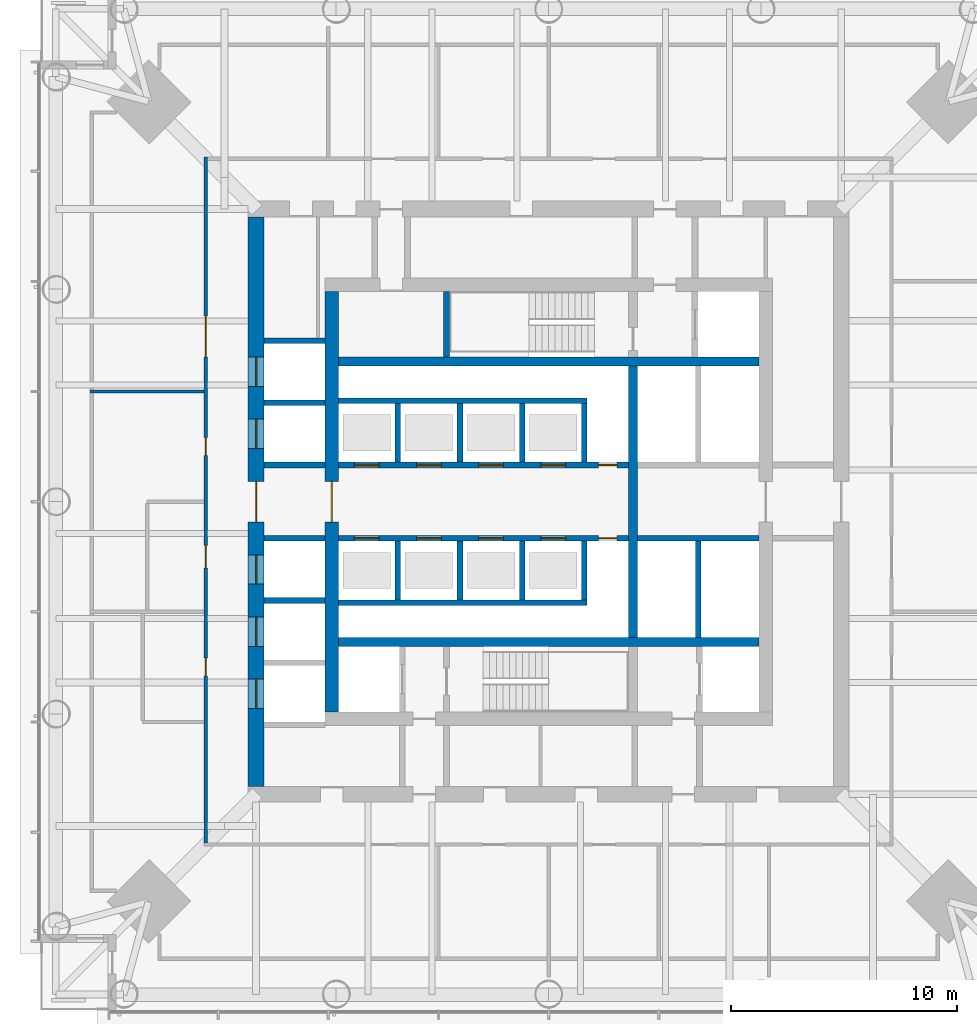
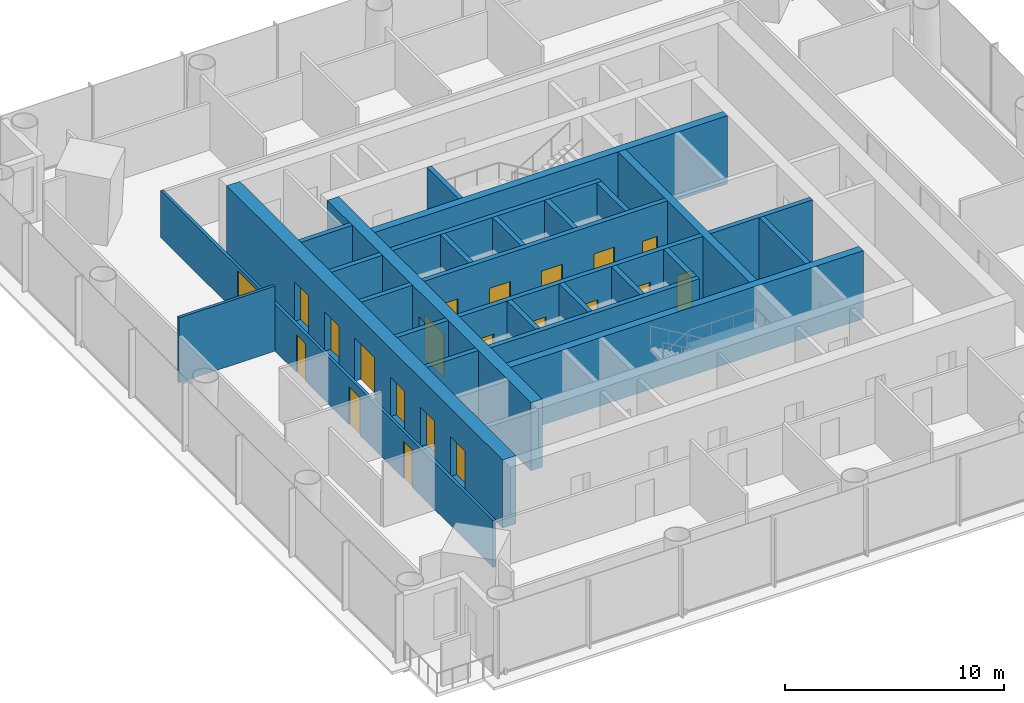
# One storey, part 10 of 27: 27 walls, 21 doors, 21 openings.
"""IFC4 building model written with IfcOpenShell, lengths in metres."""

import ifcopenshell
import ifcopenshell.guid

model = None  # the IFC model being written
_history = None  # IfcOwnerHistory: only IFC2X3 demands one
_inside = {}  # id of a spatial element -> (the spatial element, [elements in it])
_under = {}  # id of a project, library or spatial element -> (it, [spatial elements below it])
_declared = {}  # id of a project -> (the project, [libraries it declares])
_typed = {}  # id of a type object -> (the type object, [elements of that type])
_made_of = {}  # id of a material, layer set ... -> (it, [elements and type objects made of it])


def new_model(schema):
    """Start an empty IFC model of exactly this schema.

    Asked for "IFC4X3", IfcOpenShell would pick the latest addendum, in which some entities
    have other attributes; the version numbers below select the first issue.
    IFC2X3 requires an IfcOwnerHistory on every rooted entity: one is made here for all.
    """
    global model, _history
    if schema == "IFC4X3":
        model = ifcopenshell.file(schema_version=(4, 3, 0, 0))
    else:
        model = ifcopenshell.file(schema=schema)
    _inside.clear()
    _under.clear()
    _declared.clear()
    _typed.clear()
    _made_of.clear()
    _history = None
    if model.schema == "IFC2X3":
        org = make("IfcOrganization", Name="unknown")
        user = make(
            "IfcPersonAndOrganization",
            ThePerson=make("IfcPerson", FamilyName="unknown"),
            TheOrganization=org,
        )
        app = make(
            "IfcApplication",
            ApplicationDeveloper=org,
            Version="unknown",
            ApplicationFullName="unknown",
            ApplicationIdentifier="unknown",
        )
        _history = make(
            "IfcOwnerHistory",
            OwningUser=user,
            OwningApplication=app,
            ChangeAction="ADDED",
            CreationDate=0,
        )
    return model


def make(cls, **values):
    """One entity of the class cls with the attributes given. An attribute that is None is left unset."""
    return model.create_entity(
        cls, **{name: value for name, value in values.items() if value is not None}
    )


def rooted(cls, **values):
    """An entity with a GlobalId (a new one), such as an element, a storey or a relation."""
    return make(cls, GlobalId=ifcopenshell.guid.new(), OwnerHistory=_history, **values)


def si_unit(unit_type, name, prefix=None):
    """IfcSIUnit, for example si_unit("LENGTHUNIT", "METRE", prefix="MILLI")."""
    return make("IfcSIUnit", UnitType=unit_type, Prefix=prefix, Name=name)


def assignment(units):
    """IfcUnitAssignment: the units of a project."""
    return None if units is None else make("IfcUnitAssignment", Units=units)


def point(xyz):
    """IfcCartesianPoint."""
    return None if xyz is None else make("IfcCartesianPoint", Coordinates=xyz)


def direction(xyz):
    """IfcDirection."""
    return None if xyz is None else make("IfcDirection", DirectionRatios=xyz)


def frame(location, z_axis=None, x_axis=None):
    """IfcAxis2Placement3D, a coordinate frame: its origin and axes. An axis left out is left unset."""
    return make(
        "IfcAxis2Placement3D",
        Location=point(location),
        Axis=direction(z_axis),
        RefDirection=direction(x_axis),
    )


def frame_2d(location, x_axis=None):
    """IfcAxis2Placement2D, a coordinate frame in the plane: its origin and x axis."""
    return make(
        "IfcAxis2Placement2D", Location=point(location), RefDirection=direction(x_axis)
    )


def origin():
    """The frame at (0, 0, 0) with its axes left unset."""
    return frame((0.0, 0.0, 0.0))


def place(relative_to, where):
    """IfcLocalPlacement: puts the frame where relative to a parent placement (None: the world)."""
    return make(
        "IfcLocalPlacement", PlacementRelTo=relative_to, RelativePlacement=where
    )


def context(
    kind, dimensions, precision=None, world=None, true_north=None, identifier=None
):
    """IfcGeometricRepresentationContext, for example the 3D "Model" context."""
    return make(
        "IfcGeometricRepresentationContext",
        ContextIdentifier=identifier,
        ContextType=kind,
        CoordinateSpaceDimension=dimensions,
        Precision=precision,
        WorldCoordinateSystem=world,
        TrueNorth=true_north,
    )


def subcontext(parent, identifier, kind, view, scale=None):
    """IfcGeometricRepresentationSubContext, for example "Body" below "Model"."""
    return make(
        "IfcGeometricRepresentationSubContext",
        ContextIdentifier=identifier,
        ContextType=kind,
        ParentContext=parent,
        TargetScale=scale,
        TargetView=view,
    )


def project(units=None, contexts=None):
    """IfcProject with its units and contexts."""
    return rooted(
        "IfcProject",
        Name="project",
        RepresentationContexts=contexts,
        UnitsInContext=assignment(units),
    )


def spatial(cls, under=None, at=None, **own):
    """A site, building, storey or space (cls), placed at a placement, below another one or the project."""
    s = rooted(cls, ObjectPlacement=at, **own)
    if under is not None:
        _under.setdefault(under.id(), (under, []))[1].append(s)
    return s


def profile(cls, at=None, kind="AREA", **sizes):
    """A parametric profile (cls). Its sizes go by their IFC names, for example OverallWidth=200.0."""
    return make(cls, ProfileType=kind, Position=at, **sizes)


def rectangle(**sizes):
    """IfcRectangleProfileDef."""
    return profile("IfcRectangleProfileDef", **sizes)


def extrude(swept, where, along, depth):
    """IfcExtrudedAreaSolid: the profile swept, set in the frame where, extruded along a direction by depth."""
    return make(
        "IfcExtrudedAreaSolid",
        SweptArea=swept,
        Position=where,
        ExtrudedDirection=direction(along),
        Depth=depth,
    )


def shape(context_of_items, identifier, shape_type, items):
    """IfcShapeRepresentation: the items that make up one representation, for example the "Body"."""
    return make(
        "IfcShapeRepresentation",
        ContextOfItems=context_of_items,
        RepresentationIdentifier=identifier,
        RepresentationType=shape_type,
        Items=items,
    )


def material(Name=None, Category=None):
    """IfcMaterial."""
    return make("IfcMaterial", Name=Name, Category=Category)


def layer(
    of_material, thickness, ventilated=None, Name=None, Category=None, Priority=None
):
    """IfcMaterialLayer: one layer of a wall or slab, of a material (None: an air gap)."""
    return make(
        "IfcMaterialLayer",
        Material=of_material,
        LayerThickness=thickness,
        IsVentilated=ventilated,
        Name=Name,
        Category=Category,
        Priority=Priority,
    )


def layer_set(layers, Name=None):
    """IfcMaterialLayerSet."""
    return make("IfcMaterialLayerSet", MaterialLayers=layers, LayerSetName=Name)


def made_of(thing, what):
    """Note that an element or type object is made of a material, layer set ...; save() writes the relation."""
    if what is not None:
        _made_of.setdefault(what.id(), (what, []))[1].append(thing)
    return thing


def type_object(cls, material=None, **own):
    """A type object (cls), such as IfcWallType, which elements share."""
    return made_of(rooted(cls, **own), material)


def element(
    cls,
    number,
    at=None,
    inside=None,
    cuts=None,
    type_object=None,
    material=None,
    context=None,
    identifier="Body",
    shape_type=None,
    held_by="IfcProductDefinitionShape",
    body=None,
    shapes=None,
    **own,
):
    """One element of the class cls, such as IfcWall. Its Tag is "e" and its number.

    at: its placement. inside: the storey or other place that contains it. cuts: it is an
    opening in that element (IfcRelVoidsElement). A single representation is given by context,
    identifier, shape_type and body (its items); several are given by shapes. held_by: the class
    of the entity that holds the representations. save() writes the other relations.
    """
    e = rooted(cls, Tag="e%d" % number, ObjectPlacement=at, **own)
    if body is not None:
        shapes = [shape(context, identifier, shape_type, body)]
    if shapes is not None:
        e.Representation = make(held_by, Representations=shapes)
    if inside is not None:
        _inside.setdefault(inside.id(), (inside, []))[1].append(e)
    if cuts is not None:
        rooted(
            "IfcRelVoidsElement", RelatingBuildingElement=cuts, RelatedOpeningElement=e
        )
    if type_object is not None:
        _typed.setdefault(type_object.id(), (type_object, []))[1].append(e)
    return made_of(e, material)


def fill(opening, filler):
    """IfcRelFillsElement: the door or window that sits in an opening."""
    return rooted(
        "IfcRelFillsElement",
        RelatingOpeningElement=opening,
        RelatedBuildingElement=filler,
    )


def aggregate(whole, parts):
    """IfcRelAggregates: a whole, such as a stair, and the parts it consists of."""
    return rooted("IfcRelAggregates", RelatingObject=whole, RelatedObjects=parts)


def save(model, path):
    """Write the relations noted so far, then the file.

    IfcRelAggregates (storeys below a building ...), IfcRelContainedInSpatialStructure (elements
    in a storey), IfcRelDefinesByType, IfcRelAssociatesMaterial and IfcRelDeclares: one each for
    every whole, place, type object, material and project.
    """
    for whole, parts in _under.values():
        aggregate(whole, parts)
    for where, things in _inside.values():
        rooted(
            "IfcRelContainedInSpatialStructure",
            RelatedElements=things,
            RelatingStructure=where,
        )
    for kind, things in _typed.values():
        rooted("IfcRelDefinesByType", RelatedObjects=things, RelatingType=kind)
    for what, things in _made_of.values():
        rooted("IfcRelAssociatesMaterial", RelatedObjects=things, RelatingMaterial=what)
    for by, libraries in _declared.values():
        rooted("IfcRelDeclares", RelatingContext=by, RelatedDefinitions=libraries)
    model.write(path)


model = new_model("IFC4")

# Units and contexts
model_context = context("Model", 3, precision=1e-05, world=origin(), true_north=direction((0.0, 1.0)))
body_context = subcontext(model_context, "Body", "Model", "MODEL_VIEW")
ifc_project = project(units=[si_unit("LENGTHUNIT", "METRE"), si_unit("AREAUNIT", "SQUARE_METRE"), si_unit("VOLUMEUNIT", "CUBIC_METRE"), si_unit("PLANEANGLEUNIT", "RADIAN"), si_unit("MASSUNIT", "GRAM", prefix="KILO")], contexts=[model_context])

# Site, building, storey
site_placement = place(None, origin())
site = spatial("IfcSite", under=ifc_project, at=site_placement, CompositionType="ELEMENT")
building_placement = place(site_placement, origin())
building = spatial("IfcBuilding", under=site, at=building_placement, Name="Ostroluk Exchange", CompositionType="ELEMENT")
storey_placement = place(building_placement, frame((0.0, 0.0, 89.39990234375)))
storey = spatial("IfcBuildingStorey", under=building, at=storey_placement, Name="L22", CompositionType="ELEMENT", Elevation=89.39990234375)

# Walls
ifc_material_1 = material(Name="Concrete C50/60", Category="concrete")
ifc_layer_1 = layer(ifc_material_1, 0.39990234375)
ifc_layer_set_1 = layer_set([ifc_layer_1], Name="Core cross wall 400 C50/60")
wall_type_1 = type_object("IfcWallType", Name="Core cross wall 400 C50/60", PredefinedType="SHEAR", material=ifc_layer_set_1)
for number, where, z_axis, x_axis, name in (
    (1, (35.699951171875, 39.800048828125, 0.0), (0.0, 0.0, 1.0), (1.0, 0.0, 0.0), "T1 core wall XS"),
    (2, (35.699951171875, 52.199951171875, 0.0), (0.0, 0.0, 1.0), (1.0, 0.0, 0.0), "T1 core wall XN"),
):
    element("IfcWall", number, at=place(storey_placement, frame(where, z_axis=z_axis, x_axis=x_axis)), inside=storey, type_object=wall_type_1, Name=name, PredefinedType="SHEAR", context=body_context, shape_type="SweptSolid", body=[
        extrude(rectangle(XDim=18.60009765625, YDim=0.39990234375, at=frame_2d((9.300048828125, 0.0))), origin(), (0.0, 0.0, 1.0), 3.800048828125),
    ])
wall_1_placement = place(storey_placement, frame((48.72998046875, 40.0, 0.0), z_axis=(0.0, 0.0, 1.0), x_axis=(0.0, 1.0, 0.0)))
element("IfcWall", 3, at=wall_1_placement, inside=storey, type_object=wall_type_1, Name="T1 core wall YE2", PredefinedType="SHEAR", context=body_context, shape_type="SweptSolid", body=[
    extrude(rectangle(XDim=12.0, YDim=0.39990234375, at=frame_2d((6.0, 0.0))), origin(), (0.0, 0.0, 1.0), 3.800048828125),
])
ifc_material_2 = material(Name="Concrete C40/50", Category="concrete")
ifc_layer_2 = layer(ifc_material_2, 0.25)
ifc_layer_set_2 = layer_set([ifc_layer_2], Name="Core shaft wall 250")
wall_type_2 = type_object("IfcWallType", Name="Core shaft wall 250", PredefinedType="SHEAR", material=ifc_layer_set_2)
wall_2_placement = place(storey_placement, frame((40.47509765625, 52.39990234375, 0.0), z_axis=(0.0, 0.0, 1.0), x_axis=(0.0, 1.0, 0.0)))
element("IfcWall", 4, at=wall_2_placement, inside=storey, type_object=wall_type_2, Name="Stair shaft wall", PredefinedType="SHEAR", context=body_context, shape_type="SweptSolid", body=[
    extrude(rectangle(XDim=2.900146484375, YDim=0.25, at=frame_2d((1.4501953125, 0.0))), origin(), (0.0, 0.0, 1.0), 3.800048828125),
])
for number, where, z_axis, x_axis, name in (
    (5, (38.324951171875, 47.75, 0.0), (0.0, 0.0, 1.0), (0.0, 1.0, 0.0), "Lift shaft wall"),
    (6, (41.074951171875, 47.75, 0.0), (0.0, 0.0, 1.0), (0.0, 1.0, 0.0), "Lift shaft wall"),
    (7, (43.824951171875, 47.75, 0.0), (0.0, 0.0, 1.0), (0.0, 1.0, 0.0), "Lift shaft wall"),
    (8, (46.574951171875, 47.75, 0.0), (0.0, 0.0, 1.0), (0.0, 1.0, 0.0), "Lift shaft wall"),
):
    element("IfcWall", number, at=place(storey_placement, frame(where, z_axis=z_axis, x_axis=x_axis)), inside=storey, type_object=wall_type_2, Name=name, PredefinedType="SHEAR", context=body_context, shape_type="SweptSolid", body=[
        extrude(rectangle(XDim=2.60009765625, YDim=0.25, at=frame_2d((1.300048828125, 0.0))), origin(), (0.0, 0.0, 1.0), 3.800048828125),
    ])
wall_3_placement = place(storey_placement, frame((35.699951171875, 50.47509765625, 0.0), z_axis=(0.0, 0.0, 1.0), x_axis=(1.0, 0.0, 0.0)))
element("IfcWall", 9, at=wall_3_placement, inside=storey, type_object=wall_type_2, Name="Lift shaft wall", PredefinedType="SHEAR", context=body_context, shape_type="SweptSolid", body=[
    extrude(rectangle(XDim=11.0, YDim=0.25, at=frame_2d((5.5, 0.0))), origin(), (0.0, 0.0, 1.0), 3.800048828125),
])

# Wall, openings, doors
wall_4_placement = place(storey_placement, frame((35.699951171875, 47.625, 0.0), z_axis=(0.0, 0.0, 1.0), x_axis=(1.0, 0.0, 0.0)))
wall_4 = element("IfcWall", 10, at=wall_4_placement, inside=storey, type_object=wall_type_2, Name="Lift shaft front wall", PredefinedType="SHEAR", context=body_context, shape_type="SweptSolid", body=[
    extrude(rectangle(XDim=12.830078125, YDim=0.25, at=frame_2d((6.4150390625, 0.0))), origin(), (0.0, 0.0, 1.0), 3.800048828125),
])
opening_1_placement = place(wall_4_placement, frame((0.699951171875, 0.0, 0.0)))
opening_1 = element("IfcOpeningElement", 11, at=opening_1_placement, cuts=wall_4, Name="Opening LD", PredefinedType="OPENING", context=body_context, shape_type="SweptSolid", body=[
    extrude(rectangle(XDim=1.10009765625, YDim=2.199951171875, at=frame_2d((0.550048828125, 1.10009765625))), frame((0.0, 0.135009765625, 0.0), z_axis=(0.0, -1.0, 0.0), x_axis=(1.0, 0.0, 0.0)), (0.0, 0.0, 1.0), 0.27001953125),
])
opening_2_placement = place(wall_4_placement, frame((3.449951171875, 0.0, 0.0)))
opening_2 = element("IfcOpeningElement", 12, at=opening_2_placement, cuts=wall_4, Name="Opening LD", PredefinedType="OPENING", context=body_context, shape_type="SweptSolid", body=[
    extrude(rectangle(XDim=1.10009765625, YDim=2.199951171875, at=frame_2d((0.550048828125, 1.10009765625))), frame((0.0, 0.135009765625, 0.0), z_axis=(0.0, -1.0, 0.0), x_axis=(1.0, 0.0, 0.0)), (0.0, 0.0, 1.0), 0.27001953125),
])
opening_3_placement = place(wall_4_placement, frame((6.199951171875, 0.0, 0.0)))
opening_3 = element("IfcOpeningElement", 13, at=opening_3_placement, cuts=wall_4, Name="Opening LD", PredefinedType="OPENING", context=body_context, shape_type="SweptSolid", body=[
    extrude(rectangle(XDim=1.10009765625, YDim=2.199951171875, at=frame_2d((0.550048828125, 1.10009765625))), frame((0.0, 0.135009765625, 0.0), z_axis=(0.0, -1.0, 0.0), x_axis=(1.0, 0.0, 0.0)), (0.0, 0.0, 1.0), 0.27001953125),
])
opening_4_placement = place(wall_4_placement, frame((8.949951171875, 0.0, 0.0)))
opening_4 = element("IfcOpeningElement", 14, at=opening_4_placement, cuts=wall_4, Name="Opening LD", PredefinedType="OPENING", context=body_context, shape_type="SweptSolid", body=[
    extrude(rectangle(XDim=1.10009765625, YDim=2.199951171875, at=frame_2d((0.550048828125, 1.10009765625))), frame((0.0, 0.135009765625, 0.0), z_axis=(0.0, -1.0, 0.0), x_axis=(1.0, 0.0, 0.0)), (0.0, 0.0, 1.0), 0.27001953125),
])
opening_5_placement = place(wall_4_placement, frame((11.514892578125, 0.0, 0.0)))
opening_5 = element("IfcOpeningElement", 15, at=opening_5_placement, cuts=wall_4, Name="Opening RD60", PredefinedType="OPENING", context=body_context, shape_type="SweptSolid", body=[
    extrude(rectangle(XDim=0.800048828125, YDim=2.0, at=frame_2d((0.39990234375, 1.0))), frame((0.0, 0.135009765625, 0.0), z_axis=(0.0, -1.0, 0.0), x_axis=(1.0, 0.0, 0.0)), (0.0, 0.0, 1.0), 0.27001953125),
])
ifc_material_3 = material(Name="Stainless steel", Category="steel")
door_type_1 = type_object("IfcDoorType", Name="Lift landing door E 60 1100 x 2200", OperationType="DOUBLE_DOOR_SLIDING", PredefinedType="DOOR", material=ifc_material_3)
door_1_placement = place(opening_1_placement, origin())
door_1 = element("IfcDoor", 16, at=door_1_placement, inside=storey, type_object=door_type_1, Name="Lift PL-M1 landing door", OperationType="DOUBLE_DOOR_SLIDING", OverallHeight=2.199951171875, OverallWidth=1.10009765625, PredefinedType="DOOR", context=body_context, shape_type="SweptSolid", body=[
    extrude(rectangle(XDim=1.10009765625, YDim=2.199951171875, at=frame_2d((0.550048828125, 1.10009765625))), frame((0.0, 0.02490234375, 0.0), z_axis=(0.0, -1.0, 0.0), x_axis=(1.0, 0.0, 0.0)), (0.0, 0.0, 1.0), 0.050048828125),
])
fill(opening_1, door_1)
door_2_placement = place(opening_2_placement, origin())
door_2 = element("IfcDoor", 17, at=door_2_placement, inside=storey, type_object=door_type_1, Name="Lift PL-M2 landing door", OperationType="DOUBLE_DOOR_SLIDING", OverallHeight=2.199951171875, OverallWidth=1.10009765625, PredefinedType="DOOR", context=body_context, shape_type="SweptSolid", body=[
    extrude(rectangle(XDim=1.10009765625, YDim=2.199951171875, at=frame_2d((0.550048828125, 1.10009765625))), frame((0.0, 0.02490234375, 0.0), z_axis=(0.0, -1.0, 0.0), x_axis=(1.0, 0.0, 0.0)), (0.0, 0.0, 1.0), 0.050048828125),
])
fill(opening_2, door_2)
door_3_placement = place(opening_3_placement, origin())
door_3 = element("IfcDoor", 18, at=door_3_placement, inside=storey, type_object=door_type_1, Name="Lift PL-M3 landing door", OperationType="DOUBLE_DOOR_SLIDING", OverallHeight=2.199951171875, OverallWidth=1.10009765625, PredefinedType="DOOR", context=body_context, shape_type="SweptSolid", body=[
    extrude(rectangle(XDim=1.10009765625, YDim=2.199951171875, at=frame_2d((0.550048828125, 1.10009765625))), frame((0.0, 0.02490234375, 0.0), z_axis=(0.0, -1.0, 0.0), x_axis=(1.0, 0.0, 0.0)), (0.0, 0.0, 1.0), 0.050048828125),
])
fill(opening_3, door_3)
door_4_placement = place(opening_4_placement, origin())
door_4 = element("IfcDoor", 19, at=door_4_placement, inside=storey, type_object=door_type_1, Name="Lift PL-M4 landing door", OperationType="DOUBLE_DOOR_SLIDING", OverallHeight=2.199951171875, OverallWidth=1.10009765625, PredefinedType="DOOR", context=body_context, shape_type="SweptSolid", body=[
    extrude(rectangle(XDim=1.10009765625, YDim=2.199951171875, at=frame_2d((0.550048828125, 1.10009765625))), frame((0.0, 0.02490234375, 0.0), z_axis=(0.0, -1.0, 0.0), x_axis=(1.0, 0.0, 0.0)), (0.0, 0.0, 1.0), 0.050048828125),
])
fill(opening_4, door_4)
ifc_material_4 = material(Name="Steel", Category="steel")
door_type_2 = type_object("IfcDoorType", Name="Riser access door EI 60 800 x 2000", OperationType="SINGLE_SWING_LEFT", PredefinedType="DOOR", material=ifc_material_4)
door_5_placement = place(opening_5_placement, origin())
door_5 = element("IfcDoor", 20, at=door_5_placement, inside=storey, type_object=door_type_2, Name="Riser access door", OperationType="SINGLE_SWING_RIGHT", OverallHeight=2.0, OverallWidth=0.800048828125, PredefinedType="DOOR", context=body_context, shape_type="SweptSolid", body=[
    extrude(rectangle(XDim=0.800048828125, YDim=2.0, at=frame_2d((0.39990234375, 1.0))), frame((0.0, 0.02490234375, 0.0), z_axis=(0.0, -1.0, 0.0), x_axis=(1.0, 0.0, 0.0)), (0.0, 0.0, 1.0), 0.050048828125),
])
fill(opening_5, door_5)

# Walls
for number, where, z_axis, x_axis, name in (
    (21, (38.324951171875, 44.25, 0.0), (0.0, 0.0, 1.0), (0.0, -1.0, 0.0), "Lift shaft wall"),
    (22, (41.074951171875, 44.25, 0.0), (0.0, 0.0, 1.0), (0.0, -1.0, 0.0), "Lift shaft wall"),
    (23, (43.824951171875, 44.25, 0.0), (0.0, 0.0, 1.0), (0.0, -1.0, 0.0), "Lift shaft wall"),
    (24, (46.574951171875, 44.25, 0.0), (0.0, 0.0, 1.0), (0.0, -1.0, 0.0), "Lift shaft wall"),
):
    element("IfcWall", number, at=place(storey_placement, frame(where, z_axis=z_axis, x_axis=x_axis)), inside=storey, type_object=wall_type_2, Name=name, PredefinedType="SHEAR", context=body_context, shape_type="SweptSolid", body=[
        extrude(rectangle(XDim=2.60009765625, YDim=0.25, at=frame_2d((1.300048828125, 0.0))), origin(), (0.0, 0.0, 1.0), 3.800048828125),
    ])
wall_5_placement = place(storey_placement, frame((35.699951171875, 41.52490234375, 0.0), z_axis=(0.0, 0.0, 1.0), x_axis=(1.0, 0.0, 0.0)))
element("IfcWall", 25, at=wall_5_placement, inside=storey, type_object=wall_type_2, Name="Lift shaft wall", PredefinedType="SHEAR", context=body_context, shape_type="SweptSolid", body=[
    extrude(rectangle(XDim=11.0, YDim=0.25, at=frame_2d((5.5, 0.0))), origin(), (0.0, 0.0, 1.0), 3.800048828125),
])

# Wall, openings, doors
wall_6_placement = place(storey_placement, frame((35.699951171875, 44.375, 0.0), z_axis=(0.0, 0.0, 1.0), x_axis=(1.0, 0.0, 0.0)))
wall_6 = element("IfcWall", 26, at=wall_6_placement, inside=storey, type_object=wall_type_2, Name="Lift shaft front wall", PredefinedType="SHEAR", context=body_context, shape_type="SweptSolid", body=[
    extrude(rectangle(XDim=12.830078125, YDim=0.25, at=frame_2d((6.4150390625, 0.0))), origin(), (0.0, 0.0, 1.0), 3.800048828125),
])
opening_6_placement = place(wall_6_placement, frame((0.699951171875, 0.0, 0.0)))
opening_6 = element("IfcOpeningElement", 27, at=opening_6_placement, cuts=wall_6, Name="Opening LD", PredefinedType="OPENING", context=body_context, shape_type="SweptSolid", body=[
    extrude(rectangle(XDim=1.10009765625, YDim=2.199951171875, at=frame_2d((0.550048828125, 1.10009765625))), frame((0.0, 0.135009765625, 0.0), z_axis=(0.0, -1.0, 0.0), x_axis=(1.0, 0.0, 0.0)), (0.0, 0.0, 1.0), 0.27001953125),
])
opening_7_placement = place(wall_6_placement, frame((3.449951171875, 0.0, 0.0)))
opening_7 = element("IfcOpeningElement", 28, at=opening_7_placement, cuts=wall_6, Name="Opening LD", PredefinedType="OPENING", context=body_context, shape_type="SweptSolid", body=[
    extrude(rectangle(XDim=1.10009765625, YDim=2.199951171875, at=frame_2d((0.550048828125, 1.10009765625))), frame((0.0, 0.135009765625, 0.0), z_axis=(0.0, -1.0, 0.0), x_axis=(1.0, 0.0, 0.0)), (0.0, 0.0, 1.0), 0.27001953125),
])
opening_8_placement = place(wall_6_placement, frame((6.199951171875, 0.0, 0.0)))
opening_8 = element("IfcOpeningElement", 29, at=opening_8_placement, cuts=wall_6, Name="Opening LD", PredefinedType="OPENING", context=body_context, shape_type="SweptSolid", body=[
    extrude(rectangle(XDim=1.10009765625, YDim=2.199951171875, at=frame_2d((0.550048828125, 1.10009765625))), frame((0.0, 0.135009765625, 0.0), z_axis=(0.0, -1.0, 0.0), x_axis=(1.0, 0.0, 0.0)), (0.0, 0.0, 1.0), 0.27001953125),
])
opening_9_placement = place(wall_6_placement, frame((8.949951171875, 0.0, 0.0)))
opening_9 = element("IfcOpeningElement", 30, at=opening_9_placement, cuts=wall_6, Name="Opening LD", PredefinedType="OPENING", context=body_context, shape_type="SweptSolid", body=[
    extrude(rectangle(XDim=1.10009765625, YDim=2.199951171875, at=frame_2d((0.550048828125, 1.10009765625))), frame((0.0, 0.135009765625, 0.0), z_axis=(0.0, -1.0, 0.0), x_axis=(1.0, 0.0, 0.0)), (0.0, 0.0, 1.0), 0.27001953125),
])
opening_10_placement = place(wall_6_placement, frame((11.514892578125, 0.0, 0.0)))
opening_10 = element("IfcOpeningElement", 31, at=opening_10_placement, cuts=wall_6, Name="Opening RD60", PredefinedType="OPENING", context=body_context, shape_type="SweptSolid", body=[
    extrude(rectangle(XDim=0.800048828125, YDim=2.0, at=frame_2d((0.39990234375, 1.0))), frame((0.0, 0.135009765625, 0.0), z_axis=(0.0, -1.0, 0.0), x_axis=(1.0, 0.0, 0.0)), (0.0, 0.0, 1.0), 0.27001953125),
])
door_6_placement = place(opening_6_placement, origin())
door_6 = element("IfcDoor", 32, at=door_6_placement, inside=storey, type_object=door_type_1, Name="Lift PL-M5 landing door", OperationType="DOUBLE_DOOR_SLIDING", OverallHeight=2.199951171875, OverallWidth=1.10009765625, PredefinedType="DOOR", context=body_context, shape_type="SweptSolid", body=[
    extrude(rectangle(XDim=1.10009765625, YDim=2.199951171875, at=frame_2d((0.550048828125, 1.10009765625))), frame((0.0, 0.02490234375, 0.0), z_axis=(0.0, -1.0, 0.0), x_axis=(1.0, 0.0, 0.0)), (0.0, 0.0, 1.0), 0.050048828125),
])
fill(opening_6, door_6)
door_7_placement = place(opening_7_placement, origin())
door_7 = element("IfcDoor", 33, at=door_7_placement, inside=storey, type_object=door_type_1, Name="Lift PL-M6 landing door", OperationType="DOUBLE_DOOR_SLIDING", OverallHeight=2.199951171875, OverallWidth=1.10009765625, PredefinedType="DOOR", context=body_context, shape_type="SweptSolid", body=[
    extrude(rectangle(XDim=1.10009765625, YDim=2.199951171875, at=frame_2d((0.550048828125, 1.10009765625))), frame((0.0, 0.02490234375, 0.0), z_axis=(0.0, -1.0, 0.0), x_axis=(1.0, 0.0, 0.0)), (0.0, 0.0, 1.0), 0.050048828125),
])
fill(opening_7, door_7)
door_8_placement = place(opening_8_placement, origin())
door_8 = element("IfcDoor", 34, at=door_8_placement, inside=storey, type_object=door_type_1, Name="Lift PL-M7 landing door", OperationType="DOUBLE_DOOR_SLIDING", OverallHeight=2.199951171875, OverallWidth=1.10009765625, PredefinedType="DOOR", context=body_context, shape_type="SweptSolid", body=[
    extrude(rectangle(XDim=1.10009765625, YDim=2.199951171875, at=frame_2d((0.550048828125, 1.10009765625))), frame((0.0, 0.02490234375, 0.0), z_axis=(0.0, -1.0, 0.0), x_axis=(1.0, 0.0, 0.0)), (0.0, 0.0, 1.0), 0.050048828125),
])
fill(opening_8, door_8)
door_9_placement = place(opening_9_placement, origin())
door_9 = element("IfcDoor", 35, at=door_9_placement, inside=storey, type_object=door_type_1, Name="Lift PL-M8 landing door", OperationType="DOUBLE_DOOR_SLIDING", OverallHeight=2.199951171875, OverallWidth=1.10009765625, PredefinedType="DOOR", context=body_context, shape_type="SweptSolid", body=[
    extrude(rectangle(XDim=1.10009765625, YDim=2.199951171875, at=frame_2d((0.550048828125, 1.10009765625))), frame((0.0, 0.02490234375, 0.0), z_axis=(0.0, -1.0, 0.0), x_axis=(1.0, 0.0, 0.0)), (0.0, 0.0, 1.0), 0.050048828125),
])
fill(opening_9, door_9)
door_10_placement = place(opening_10_placement, origin())
door_10 = element("IfcDoor", 36, at=door_10_placement, inside=storey, type_object=door_type_2, Name="Riser access door", OperationType="SINGLE_SWING_RIGHT", OverallHeight=2.0, OverallWidth=0.800048828125, PredefinedType="DOOR", context=body_context, shape_type="SweptSolid", body=[
    extrude(rectangle(XDim=0.800048828125, YDim=2.0, at=frame_2d((0.39990234375, 1.0))), frame((0.0, 0.02490234375, 0.0), z_axis=(0.0, -1.0, 0.0), x_axis=(1.0, 0.0, 0.0)), (0.0, 0.0, 1.0), 0.050048828125),
])
fill(opening_10, door_10)

# Walls
wall_7_placement = place(storey_placement, frame((51.614990234375, 44.25, 0.0), z_axis=(0.0, 0.0, 1.0), x_axis=(0.0, -1.0, 0.0)))
element("IfcWall", 37, at=wall_7_placement, inside=storey, type_object=wall_type_2, Name="Lift shaft wall", PredefinedType="SHEAR", context=body_context, shape_type="SweptSolid", body=[
    extrude(rectangle(XDim=4.25, YDim=0.25, at=frame_2d((2.125, 0.0))), origin(), (0.0, 0.0, 1.0), 3.800048828125),
])
wall_8_placement = place(storey_placement, frame((48.929931640625, 44.375, 0.0), z_axis=(0.0, 0.0, 1.0), x_axis=(1.0, 0.0, 0.0)))
element("IfcWall", 38, at=wall_8_placement, inside=storey, type_object=wall_type_2, Name="Lift shaft front wall", PredefinedType="SHEAR", context=body_context, shape_type="SweptSolid", body=[
    extrude(rectangle(XDim=5.3701171875, YDim=0.25, at=frame_2d((2.68505859375, 0.0))), origin(), (0.0, 0.0, 1.0), 3.800048828125),
])
for number, where, z_axis, x_axis, name in (
    (39, (32.39990234375, 41.625, 0.0), (0.0, 0.0, 1.0), (1.0, 0.0, 0.0), "Lift shaft wall"),
    (40, (32.39990234375, 44.375, 0.0), (0.0, 0.0, 1.0), (1.0, 0.0, 0.0), "Lift shaft wall"),
    (41, (32.39990234375, 47.625, 0.0), (0.0, 0.0, 1.0), (1.0, 0.0, 0.0), "Lift shaft wall"),
    (42, (32.39990234375, 50.375, 0.0), (0.0, 0.0, 1.0), (1.0, 0.0, 0.0), "Lift shaft wall"),
    (43, (32.39990234375, 53.125, 0.0), (0.0, 0.0, 1.0), (1.0, 0.0, 0.0), "Lift shaft wall"),
):
    element("IfcWall", number, at=place(storey_placement, frame(where, z_axis=z_axis, x_axis=x_axis)), inside=storey, type_object=wall_type_2, Name=name, PredefinedType="SHEAR", context=body_context, shape_type="SweptSolid", body=[
        extrude(rectangle(XDim=2.7001953125, YDim=0.25, at=frame_2d((1.35009765625, 0.0))), origin(), (0.0, 0.0, 1.0), 3.800048828125),
    ])

# Wall, opening, door
ifc_material_5 = material(Name="Concrete C50/60", Category="concrete")
ifc_layer_3 = layer(ifc_material_5, 0.60009765625)
ifc_layer_set_3 = layer_set([ifc_layer_3], Name="Core wall 600 C50/60")
wall_type_3 = type_object("IfcWallType", Name="Core wall 600 C50/60", PredefinedType="SHEAR", material=ifc_layer_set_3)
wall_9_placement = place(storey_placement, frame((35.39990234375, 36.699951171875, 0.0), z_axis=(0.0, 0.0, 1.0), x_axis=(0.0, 1.0, 0.0)))
wall_9 = element("IfcWall", 44, at=wall_9_placement, inside=storey, type_object=wall_type_3, Name="T1 core wall W", PredefinedType="SHEAR", context=body_context, shape_type="SweptSolid", body=[
    extrude(rectangle(XDim=18.60009765625, YDim=0.60009765625, at=frame_2d((9.300048828125, 0.0))), origin(), (0.0, 0.0, 1.0), 3.800048828125),
])
opening_11_placement = place(wall_9_placement, frame((8.39990234375, 0.0, 0.0)))
opening_11 = element("IfcOpeningElement", 45, at=opening_11_placement, cuts=wall_9, Name="Opening FD30D", PredefinedType="OPENING", context=body_context, shape_type="SweptSolid", body=[
    extrude(rectangle(XDim=1.800048828125, YDim=2.39990234375, at=frame_2d((0.89990234375, 1.199951171875))), frame((0.0, 0.31005859375, 0.0), z_axis=(0.0, -1.0, 0.0), x_axis=(1.0, 0.0, 0.0)), (0.0, 0.0, 1.0), 0.6201171875),
])
ifc_material_6 = material(Name="Timber", Category="wood")
door_type_3 = type_object("IfcDoorType", Name="Lobby double door EI 30 1800 x 2400", OperationType="DOUBLE_DOOR_SINGLE_SWING", PredefinedType="DOOR", material=ifc_material_6)
door_11_placement = place(opening_11_placement, origin())
door_11 = element("IfcDoor", 46, at=door_11_placement, inside=storey, type_object=door_type_3, Name="Lift lobby doors", OperationType="DOUBLE_DOOR_SINGLE_SWING", OverallHeight=2.39990234375, OverallWidth=1.800048828125, PredefinedType="DOOR", context=body_context, shape_type="SweptSolid", body=[
    extrude(rectangle(XDim=1.800048828125, YDim=2.39990234375, at=frame_2d((0.89990234375, 1.199951171875))), frame((0.0, 0.02490234375, 0.0), z_axis=(0.0, -1.0, 0.0), x_axis=(1.0, 0.0, 0.0)), (0.0, 0.0, 1.0), 0.050048828125),
])
fill(opening_11, door_11)

# Wall, openings, doors
ifc_material_7 = material(Name="Concrete C50/60", Category="concrete")
ifc_layer_4 = layer(ifc_material_7, 0.699951171875)
ifc_layer_set_4 = layer_set([ifc_layer_4], Name="Core wall 700 C50/60")
wall_type_4 = type_object("IfcWallType", Name="Core wall 700 C50/60", PredefinedType="SHEAR", material=ifc_layer_set_4)
wall_10_placement = place(storey_placement, frame((32.050048828125, 33.39990234375, 0.0), z_axis=(0.0, 0.0, 1.0), x_axis=(0.0, 1.0, 0.0)))
wall_10 = element("IfcWall", 47, at=wall_10_placement, inside=storey, type_object=wall_type_4, Name="T1 core wall RW", PredefinedType="SHEAR", context=body_context, shape_type="SweptSolid", body=[
    extrude(rectangle(XDim=25.2001953125, YDim=0.699951171875, at=frame_2d((12.60009765625, 0.0))), origin(), (0.0, 0.0, 1.0), 3.800048828125),
])
opening_12_placement = place(wall_10_placement, frame((3.449951171875, 0.0, 0.0)))
opening_12 = element("IfcOpeningElement", 48, at=opening_12_placement, cuts=wall_10, Name="Opening LD2", PredefinedType="OPENING", context=body_context, shape_type="SweptSolid", body=[
    extrude(rectangle(XDim=1.300048828125, YDim=2.199951171875, at=frame_2d((0.64990234375, 1.10009765625))), frame((0.0, 0.35986328125, 0.0), z_axis=(0.0, -1.0, 0.0), x_axis=(1.0, 0.0, 0.0)), (0.0, 0.0, 1.0), 0.719970703125),
])
opening_13_placement = place(wall_10_placement, frame((6.199951171875, 0.0, 0.0)))
opening_13 = element("IfcOpeningElement", 49, at=opening_13_placement, cuts=wall_10, Name="Opening LD2", PredefinedType="OPENING", context=body_context, shape_type="SweptSolid", body=[
    extrude(rectangle(XDim=1.300048828125, YDim=2.199951171875, at=frame_2d((0.64990234375, 1.10009765625))), frame((0.0, 0.35986328125, 0.0), z_axis=(0.0, -1.0, 0.0), x_axis=(1.0, 0.0, 0.0)), (0.0, 0.0, 1.0), 0.719970703125),
])
opening_14_placement = place(wall_10_placement, frame((8.949951171875, 0.0, 0.0)))
opening_14 = element("IfcOpeningElement", 50, at=opening_14_placement, cuts=wall_10, Name="Opening LD2", PredefinedType="OPENING", context=body_context, shape_type="SweptSolid", body=[
    extrude(rectangle(XDim=1.300048828125, YDim=2.199951171875, at=frame_2d((0.64990234375, 1.10009765625))), frame((0.0, 0.35986328125, 0.0), z_axis=(0.0, -1.0, 0.0), x_axis=(1.0, 0.0, 0.0)), (0.0, 0.0, 1.0), 0.719970703125),
])
opening_15_placement = place(wall_10_placement, frame((14.949951171875, 0.0, 0.0)))
opening_15 = element("IfcOpeningElement", 51, at=opening_15_placement, cuts=wall_10, Name="Opening LD2", PredefinedType="OPENING", context=body_context, shape_type="SweptSolid", body=[
    extrude(rectangle(XDim=1.300048828125, YDim=2.199951171875, at=frame_2d((0.64990234375, 1.10009765625))), frame((0.0, 0.35986328125, 0.0), z_axis=(0.0, -1.0, 0.0), x_axis=(1.0, 0.0, 0.0)), (0.0, 0.0, 1.0), 0.719970703125),
])
opening_16_placement = place(wall_10_placement, frame((17.699951171875, 0.0, 0.0)))
opening_16 = element("IfcOpeningElement", 52, at=opening_16_placement, cuts=wall_10, Name="Opening LD2", PredefinedType="OPENING", context=body_context, shape_type="SweptSolid", body=[
    extrude(rectangle(XDim=1.300048828125, YDim=2.199951171875, at=frame_2d((0.64990234375, 1.10009765625))), frame((0.0, 0.35986328125, 0.0), z_axis=(0.0, -1.0, 0.0), x_axis=(1.0, 0.0, 0.0)), (0.0, 0.0, 1.0), 0.719970703125),
])
opening_17_placement = place(wall_10_placement, frame((11.699951171875, 0.0, 0.0)))
opening_17 = element("IfcOpeningElement", 53, at=opening_17_placement, cuts=wall_10, Name="Opening FD30D", PredefinedType="OPENING", context=body_context, shape_type="SweptSolid", body=[
    extrude(rectangle(XDim=1.800048828125, YDim=2.39990234375, at=frame_2d((0.89990234375, 1.199951171875))), frame((0.0, 0.35986328125, 0.0), z_axis=(0.0, -1.0, 0.0), x_axis=(1.0, 0.0, 0.0)), (0.0, 0.0, 1.0), 0.719970703125),
])
ifc_material_8 = material(Name="Stainless steel", Category="steel")
door_type_4 = type_object("IfcDoorType", Name="Lift landing door E 60 1300 x 2200", OperationType="DOUBLE_DOOR_SLIDING", PredefinedType="DOOR", material=ifc_material_8)
door_12_placement = place(opening_12_placement, origin())
door_12 = element("IfcDoor", 54, at=door_12_placement, inside=storey, type_object=door_type_4, Name="Lift SH1 landing door", OperationType="DOUBLE_DOOR_SLIDING", OverallHeight=2.199951171875, OverallWidth=1.300048828125, PredefinedType="DOOR", context=body_context, shape_type="SweptSolid", body=[
    extrude(rectangle(XDim=1.300048828125, YDim=2.199951171875, at=frame_2d((0.64990234375, 1.10009765625))), frame((0.0, 0.02490234375, 0.0), z_axis=(0.0, -1.0, 0.0), x_axis=(1.0, 0.0, 0.0)), (0.0, 0.0, 1.0), 0.050048828125),
])
fill(opening_12, door_12)
door_13_placement = place(opening_13_placement, origin())
door_13 = element("IfcDoor", 55, at=door_13_placement, inside=storey, type_object=door_type_4, Name="Lift SH2 landing door", OperationType="DOUBLE_DOOR_SLIDING", OverallHeight=2.199951171875, OverallWidth=1.300048828125, PredefinedType="DOOR", context=body_context, shape_type="SweptSolid", body=[
    extrude(rectangle(XDim=1.300048828125, YDim=2.199951171875, at=frame_2d((0.64990234375, 1.10009765625))), frame((0.0, 0.02490234375, 0.0), z_axis=(0.0, -1.0, 0.0), x_axis=(1.0, 0.0, 0.0)), (0.0, 0.0, 1.0), 0.050048828125),
])
fill(opening_13, door_13)
door_14_placement = place(opening_14_placement, origin())
door_14 = element("IfcDoor", 56, at=door_14_placement, inside=storey, type_object=door_type_4, Name="Lift SH3 landing door", OperationType="DOUBLE_DOOR_SLIDING", OverallHeight=2.199951171875, OverallWidth=1.300048828125, PredefinedType="DOOR", context=body_context, shape_type="SweptSolid", body=[
    extrude(rectangle(XDim=1.300048828125, YDim=2.199951171875, at=frame_2d((0.64990234375, 1.10009765625))), frame((0.0, 0.02490234375, 0.0), z_axis=(0.0, -1.0, 0.0), x_axis=(1.0, 0.0, 0.0)), (0.0, 0.0, 1.0), 0.050048828125),
])
fill(opening_14, door_14)
door_15_placement = place(opening_15_placement, origin())
door_15 = element("IfcDoor", 57, at=door_15_placement, inside=storey, type_object=door_type_4, Name="Lift SH4 landing door", OperationType="DOUBLE_DOOR_SLIDING", OverallHeight=2.199951171875, OverallWidth=1.300048828125, PredefinedType="DOOR", context=body_context, shape_type="SweptSolid", body=[
    extrude(rectangle(XDim=1.300048828125, YDim=2.199951171875, at=frame_2d((0.64990234375, 1.10009765625))), frame((0.0, 0.02490234375, 0.0), z_axis=(0.0, -1.0, 0.0), x_axis=(1.0, 0.0, 0.0)), (0.0, 0.0, 1.0), 0.050048828125),
])
fill(opening_15, door_15)
door_16_placement = place(opening_16_placement, origin())
door_16 = element("IfcDoor", 58, at=door_16_placement, inside=storey, type_object=door_type_4, Name="Lift SH5 landing door", OperationType="DOUBLE_DOOR_SLIDING", OverallHeight=2.199951171875, OverallWidth=1.300048828125, PredefinedType="DOOR", context=body_context, shape_type="SweptSolid", body=[
    extrude(rectangle(XDim=1.300048828125, YDim=2.199951171875, at=frame_2d((0.64990234375, 1.10009765625))), frame((0.0, 0.02490234375, 0.0), z_axis=(0.0, -1.0, 0.0), x_axis=(1.0, 0.0, 0.0)), (0.0, 0.0, 1.0), 0.050048828125),
])
fill(opening_16, door_16)
door_17_placement = place(opening_17_placement, origin())
door_17 = element("IfcDoor", 59, at=door_17_placement, inside=storey, type_object=door_type_3, Name="Lift lobby doors", OperationType="DOUBLE_DOOR_SINGLE_SWING", OverallHeight=2.39990234375, OverallWidth=1.800048828125, PredefinedType="DOOR", context=body_context, shape_type="SweptSolid", body=[
    extrude(rectangle(XDim=1.800048828125, YDim=2.39990234375, at=frame_2d((0.89990234375, 1.199951171875))), frame((0.0, 0.02490234375, 0.0), z_axis=(0.0, -1.0, 0.0), x_axis=(1.0, 0.0, 0.0)), (0.0, 0.0, 1.0), 0.050048828125),
])
fill(opening_17, door_17)

ifc_material_9 = material(Name="Gypsum plasterboard partition", Category="gypsum")
ifc_layer_5 = layer(ifc_material_9, 0.14990234375)
ifc_layer_set_5 = layer_set([ifc_layer_5], Name="Plasterboard partition 150")
wall_type_5 = type_object("IfcWallType", Name="Plasterboard partition 150", PredefinedType="PARTITIONING", material=ifc_layer_set_5)
wall_11_placement = place(storey_placement, frame((29.824951171875, 61.25, 0.0), z_axis=(0.0, 0.0, 1.0), x_axis=(0.0, -1.0, 0.0)))
wall_11 = element("IfcWall", 60, at=wall_11_placement, inside=storey, type_object=wall_type_5, Name="Partition", PredefinedType="PARTITIONING", context=body_context, shape_type="SweptSolid", body=[
    extrude(rectangle(XDim=30.35009765625, YDim=0.14990234375, at=frame_2d((15.175048828125, 0.0))), origin(), (0.0, 0.0, 1.0), 2.612060546875),
])
opening_18_placement = place(wall_11_placement, frame((7.03759765625, 0.0, 0.0)))
opening_18 = element("IfcOpeningElement", 61, at=opening_18_placement, cuts=wall_11, Name="Opening D-04", PredefinedType="OPENING", context=body_context, shape_type="SweptSolid", body=[
    extrude(rectangle(XDim=1.800048828125, YDim=2.39990234375, at=frame_2d((0.89990234375, 1.199951171875))), frame((0.0, 0.0849609375, 0.0), z_axis=(0.0, -1.0, 0.0), x_axis=(1.0, 0.0, 0.0)), (0.0, 0.0, 1.0), 0.169921875),
])
opening_19_placement = place(wall_11_placement, frame((12.41259765625, 0.0, 0.0)))
opening_19 = element("IfcOpeningElement", 62, at=opening_19_placement, cuts=wall_11, Name="Opening D-06", PredefinedType="OPENING", context=body_context, shape_type="SweptSolid", body=[
    extrude(rectangle(XDim=0.800048828125, YDim=2.10009765625, at=frame_2d((0.39990234375, 1.050048828125))), frame((0.0, 0.0849609375, 0.0), z_axis=(0.0, -1.0, 0.0), x_axis=(1.0, 0.0, 0.0)), (0.0, 0.0, 1.0), 0.169921875),
])
opening_20_placement = place(wall_11_placement, frame((17.1875, 0.0, 0.0)))
opening_20 = element("IfcOpeningElement", 63, at=opening_20_placement, cuts=wall_11, Name="Opening D-03", PredefinedType="OPENING", context=body_context, shape_type="SweptSolid", body=[
    extrude(rectangle(XDim=1.0, YDim=2.10009765625, at=frame_2d((0.5, 1.050048828125))), frame((0.0, 0.0849609375, 0.0), z_axis=(0.0, -1.0, 0.0), x_axis=(1.0, 0.0, 0.0)), (0.0, 0.0, 1.0), 0.169921875),
])
opening_21_placement = place(wall_11_placement, frame((22.16259765625, 0.0, 0.0)))
opening_21 = element("IfcOpeningElement", 64, at=opening_21_placement, cuts=wall_11, Name="Opening D-06", PredefinedType="OPENING", context=body_context, shape_type="SweptSolid", body=[
    extrude(rectangle(XDim=0.800048828125, YDim=2.10009765625, at=frame_2d((0.39990234375, 1.050048828125))), frame((0.0, 0.0849609375, 0.0), z_axis=(0.0, -1.0, 0.0), x_axis=(1.0, 0.0, 0.0)), (0.0, 0.0, 1.0), 0.169921875),
])
ifc_material_10 = material(Name="Timber", Category="wood")
door_type_5 = type_object("IfcDoorType", Name="Double door 1800 x 2400", OperationType="DOUBLE_DOOR_SINGLE_SWING", PredefinedType="DOOR", material=ifc_material_10)
door_18_placement = place(opening_18_placement, origin())
door_18 = element("IfcDoor", 65, at=door_18_placement, inside=storey, type_object=door_type_5, Name="Business lounge door", OperationType="DOUBLE_DOOR_SINGLE_SWING", OverallHeight=2.39990234375, OverallWidth=1.800048828125, PredefinedType="DOOR", context=body_context, shape_type="SweptSolid", body=[
    extrude(rectangle(XDim=1.800048828125, YDim=2.39990234375, at=frame_2d((0.89990234375, 1.199951171875))), frame((0.0, 0.02490234375, 0.0), z_axis=(0.0, -1.0, 0.0), x_axis=(1.0, 0.0, 0.0)), (0.0, 0.0, 1.0), 0.050048828125),
])
fill(opening_18, door_18)
ifc_material_11 = material(Name="Timber", Category="wood")
door_type_6 = type_object("IfcDoorType", Name="Internal door 1000 x 2100", OperationType="SINGLE_SWING_LEFT", PredefinedType="DOOR", material=ifc_material_11)
door_19_placement = place(opening_20_placement, origin())
door_19 = element("IfcDoor", 66, at=door_19_placement, inside=storey, type_object=door_type_6, Name="Accessible WC door", OperationType="SINGLE_SWING_RIGHT", OverallHeight=2.10009765625, OverallWidth=1.0, PredefinedType="DOOR", context=body_context, shape_type="SweptSolid", body=[
    extrude(rectangle(XDim=1.0, YDim=2.10009765625, at=frame_2d((0.5, 1.050048828125))), frame((0.0, 0.02490234375, 0.0), z_axis=(0.0, -1.0, 0.0), x_axis=(1.0, 0.0, 0.0)), (0.0, 0.0, 1.0), 0.050048828125),
])
fill(opening_20, door_19)
ifc_material_12 = material(Name="Timber", Category="wood")
door_type_7 = type_object("IfcDoorType", Name="Toilet door 800 x 2100", OperationType="SINGLE_SWING_LEFT", PredefinedType="DOOR", material=ifc_material_12)
door_20_placement = place(opening_19_placement, origin())
door_20 = element("IfcDoor", 67, at=door_20_placement, inside=storey, type_object=door_type_7, Name="WC female door", OperationType="SINGLE_SWING_LEFT", OverallHeight=2.10009765625, OverallWidth=0.800048828125, PredefinedType="DOOR", context=body_context, shape_type="SweptSolid", body=[
    extrude(rectangle(XDim=0.800048828125, YDim=2.10009765625, at=frame_2d((0.39990234375, 1.050048828125))), frame((0.0, 0.02490234375, 0.0), z_axis=(0.0, -1.0, 0.0), x_axis=(1.0, 0.0, 0.0)), (0.0, 0.0, 1.0), 0.050048828125),
])
fill(opening_19, door_20)
door_21_placement = place(opening_21_placement, origin())
door_21 = element("IfcDoor", 68, at=door_21_placement, inside=storey, type_object=door_type_7, Name="WC male door", OperationType="SINGLE_SWING_RIGHT", OverallHeight=2.10009765625, OverallWidth=0.800048828125, PredefinedType="DOOR", context=body_context, shape_type="SweptSolid", body=[
    extrude(rectangle(XDim=0.800048828125, YDim=2.10009765625, at=frame_2d((0.39990234375, 1.050048828125))), frame((0.0, 0.02490234375, 0.0), z_axis=(0.0, -1.0, 0.0), x_axis=(1.0, 0.0, 0.0)), (0.0, 0.0, 1.0), 0.050048828125),
])
fill(opening_21, door_21)

# Wall
wall_12_placement = place(storey_placement, frame((29.75, 50.875, 0.0), z_axis=(0.0, 0.0, 1.0), x_axis=(-1.0, 0.0, 0.0)))
element("IfcWall", 69, at=wall_12_placement, inside=storey, type_object=wall_type_5, Name="Partition", PredefinedType="PARTITIONING", context=body_context, shape_type="SweptSolid", body=[
    extrude(rectangle(XDim=5.050048828125, YDim=0.14990234375, at=frame_2d((2.52490234375, 0.0))), origin(), (0.0, 0.0, 1.0), 3.6201171875),
])

save(model, "model.ifc")
